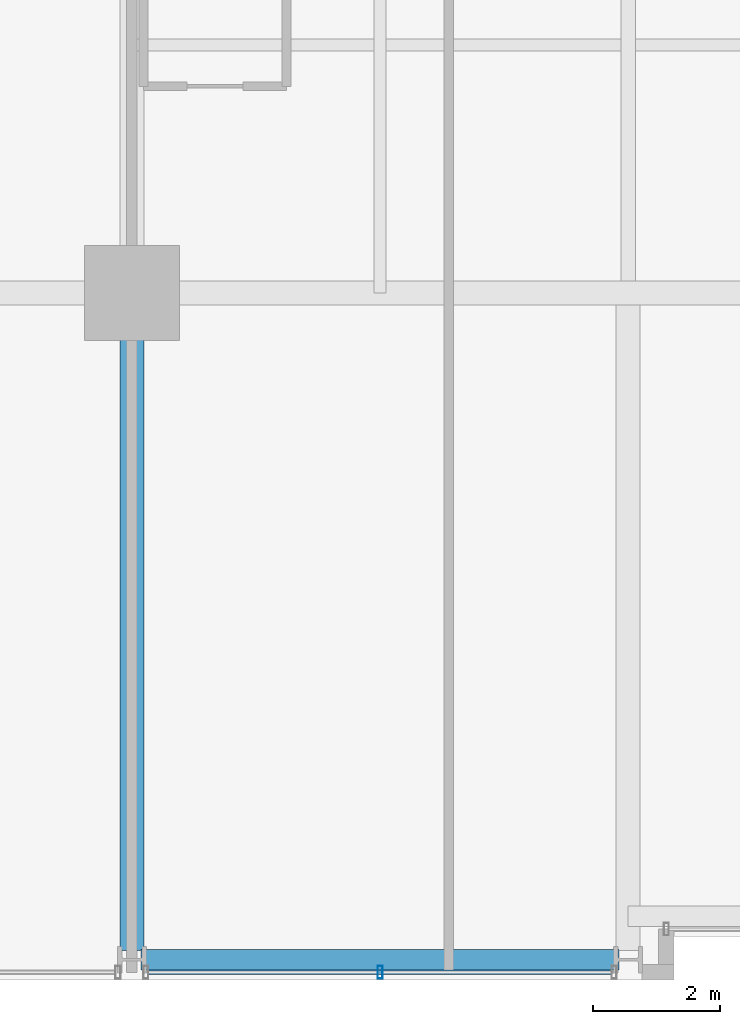
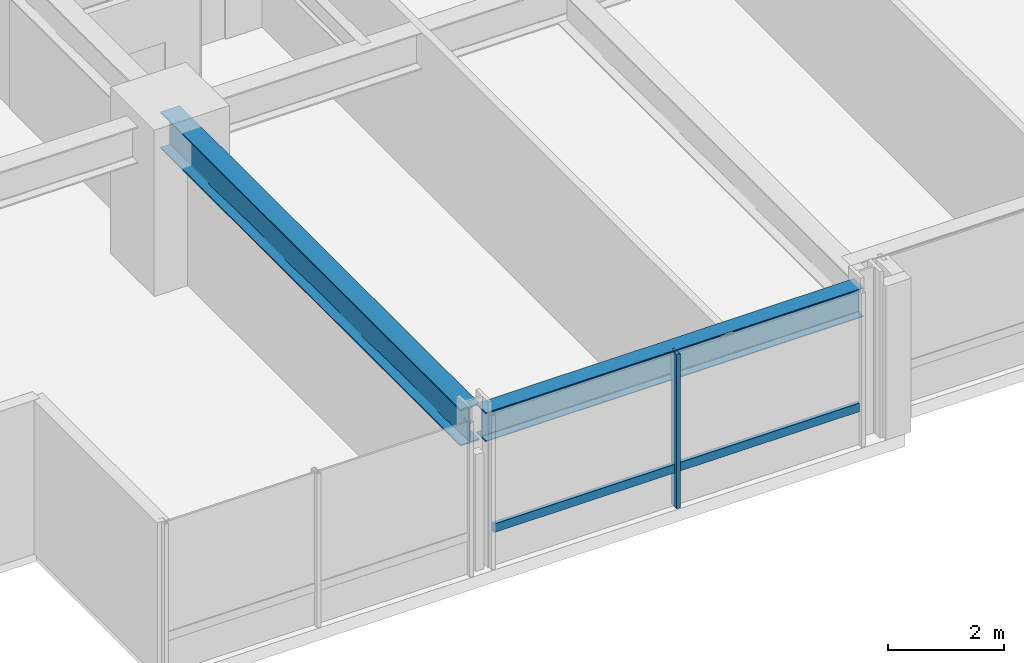
# One storey, part 3 of 34: 2 beams, 2 members, 1 element without a shape of its own.
"""IFC4 building model written with IfcOpenShell, lengths in metres."""

from ifc_helpers import new_model, si_unit, direction, frame, origin, origin_2d, place, context, subcontext, project, spatial, hollow_rectangle, i_section, extrude, material, layer, layer_set, material_profile, profile_set, type_object, element, aggregate, save


model = new_model("IFC4")

# Units and contexts
model_context = context("Model", 3, precision=1e-05, world=origin(), true_north=direction((0.0, 1.0)))
body_context = subcontext(model_context, "Body", "Model", "MODEL_VIEW")
ifc_project = project(units=[si_unit("LENGTHUNIT", "METRE"), si_unit("AREAUNIT", "SQUARE_METRE"), si_unit("VOLUMEUNIT", "CUBIC_METRE"), si_unit("PLANEANGLEUNIT", "RADIAN"), si_unit("MASSUNIT", "GRAM", prefix="KILO")], contexts=[model_context])

# Site, building, storey
site_placement = place(None, origin())
site = spatial("IfcSite", under=ifc_project, at=site_placement, CompositionType="ELEMENT")
building_placement = place(site_placement, origin())
building = spatial("IfcBuilding", under=site, at=building_placement, Name="Drelvath Grand Hotel", CompositionType="ELEMENT")
storey_placement = place(building_placement, frame((0.0, 0.0, 116.300048828125)))
storey = spatial("IfcBuildingStorey", under=building, at=storey_placement, Name="L29", CompositionType="ELEMENT", Elevation=116.300048828125)

# Curtain wall, members
ifc_material_1 = material(Name="Champagne Bronze Anodised Aluminium Frame", Category="aluminium")
ifc_layer = layer(ifc_material_1, 0.199951171875)
ifc_layer_set = layer_set([ifc_layer], Name="Champagne Bronze Anodised Aluminium Frame")
curtain_wall_type = type_object("IfcCurtainWallType", Name="Stick Curtain Wall CW-03 Champagne Bronze Mid-Rise", PredefinedType="NOTDEFINED", material=ifc_layer_set)
curtain_wall_placement = place(storey_placement, origin())
curtain_wall = element("IfcCurtainWall", 1, at=curtain_wall_placement, inside=storey, type_object=curtain_wall_type, Name="L29 CW-03 Curtain Wall CW03-L29-SW2", PredefinedType="NOTDEFINED")
ifc_material_profile_1 = material_profile(ifc_material_1, hollow_rectangle(XDim=0.074951171875, YDim=0.179931640625, WallThickness=0.0048828125, at=origin_2d()), Name="HSS180X75X5")
ifc_profile_set_1 = profile_set([ifc_material_profile_1], Name="Champagne Bronze Anodised Aluminium Frame")
member_type_1 = type_object("IfcMemberType", Name="Curtain Wall Horizontal Transom CW-03 HSS180X75X5", PredefinedType="USERDEFINED", material=ifc_profile_set_1)
member_1_placement = place(storey_placement, frame((-8.65966796875, 0.1201171875, 0.81005859375), z_axis=(-1.0, 0.0, 0.0), x_axis=(0.0, -1.0, 0.0)))
member_1 = element("IfcMember", 2, at=member_1_placement, type_object=member_type_1, Name="CW03-L29-SW2 Sill Transom", ObjectType="TRANSOM", PredefinedType="USERDEFINED", context=body_context, shape_type="SweptSolid", body=[
    extrude(hollow_rectangle(XDim=0.074951171875, YDim=0.179931640625, WallThickness=0.0048828125, at=origin_2d()), origin(), (0.0, 0.0, 1.0), 7.28076171875),
])
ifc_material_profile_2 = material_profile(ifc_material_1, hollow_rectangle(XDim=0.080078125, YDim=0.199951171875, WallThickness=0.0048828125, at=origin_2d()), Name="HSS200X80X5")
ifc_profile_set_2 = profile_set([ifc_material_profile_2], Name="Champagne Bronze Anodised Aluminium Frame")
member_type_2 = type_object("IfcMemberType", Name="Curtain Wall Vertical Mullion CW-03 HSS200X80X5", PredefinedType="MULLION", material=ifc_profile_set_2)
member_2_placement = place(storey_placement, frame((-12.300048828125, 0.1201171875, 0.0), z_axis=(0.0, 0.0, 1.0), x_axis=(1.0, 0.0, 0.0)))
member_2 = element("IfcMember", 3, at=member_2_placement, type_object=member_type_2, Name="CW03-L29-SW2 Mullion 2", PredefinedType="MULLION", context=body_context, shape_type="SweptSolid", body=[
    extrude(hollow_rectangle(XDim=0.080078125, YDim=0.199951171875, WallThickness=0.0048828125, at=origin_2d()), origin(), (0.0, 0.0, 1.0), 3.239990234375),
])
aggregate(curtain_wall, [member_2, member_1])

# Beams
ifc_material_2 = material(Name="Steel ASTM A992 Gr 50", Category="steel")
ifc_material_profile_3 = material_profile(ifc_material_2, i_section(OverallWidth=0.323974609375, OverallDepth=0.611083984375, WebThickness=0.0126953125, FlangeThickness=0.01904296875, FilletRadius=0.02197265625, at=origin_2d()), Name="W24X104")
ifc_profile_set_3 = profile_set([ifc_material_profile_3], Name="Steel ASTM A992 Gr 50")
beam_type_1 = type_object("IfcBeamType", Name="Perimeter Spandrel Beam W24X104", PredefinedType="SPANDREL", material=ifc_profile_set_3)
beam_1_placement = place(storey_placement, frame((-16.06005859375, 0.320068359375, 2.9345703125), z_axis=(1.0, 0.0, 0.0), x_axis=(0.0, 1.0, 0.0)))
element("IfcBeam", 4, at=beam_1_placement, inside=storey, type_object=beam_type_1, Name="L29 Spandrel South W", PredefinedType="SPANDREL", context=body_context, shape_type="SweptSolid", body=[
    extrude(i_section(OverallWidth=0.323974609375, OverallDepth=0.611083984375, WebThickness=0.0126953125, FlangeThickness=0.01904296875, FilletRadius=0.02197265625, at=origin_2d()), origin(), (0.0, 0.0, 1.0), 7.52001953125),
])
ifc_material_profile_4 = material_profile(ifc_material_2, i_section(OverallWidth=0.380615234375, OverallDepth=0.773193359375, WebThickness=0.0166015625, FlangeThickness=0.027099609375, FilletRadius=0.02490234375, at=origin_2d()), Name="W30X173")
ifc_profile_set_4 = profile_set([ifc_material_profile_4], Name="Steel ASTM A992 Gr 50")
beam_type_2 = type_object("IfcBeamType", Name="Primary Floor Girder W30X173", PredefinedType="BEAM", material=ifc_profile_set_4)
beam_2_placement = place(storey_placement, frame((-16.199951171875, 0.4599609375, 2.853271484375), z_axis=(0.0, 1.0, 0.0), x_axis=(-1.0, 0.0, 0.0)))
element("IfcBeam", 5, at=beam_2_placement, inside=storey, type_object=beam_type_2, Name="L29 South Grid Girder 3", PredefinedType="BEAM", context=body_context, shape_type="SweptSolid", body=[
    extrude(i_section(OverallWidth=0.380615234375, OverallDepth=0.773193359375, WebThickness=0.0166015625, FlangeThickness=0.027099609375, FilletRadius=0.02490234375, at=origin_2d()), origin(), (0.0, 0.0, 1.0), 10.340087890625),
])

save(model, "model.ifc")
